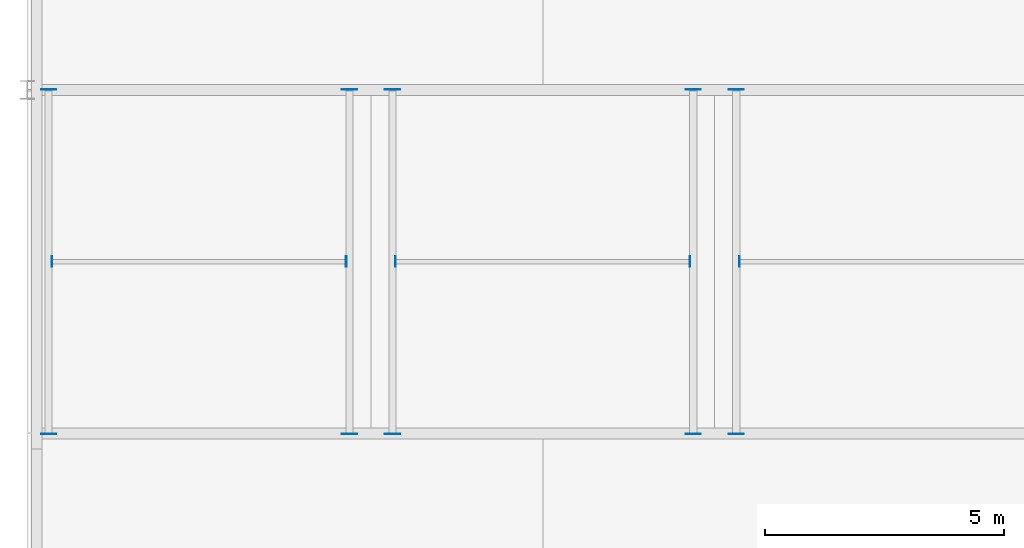
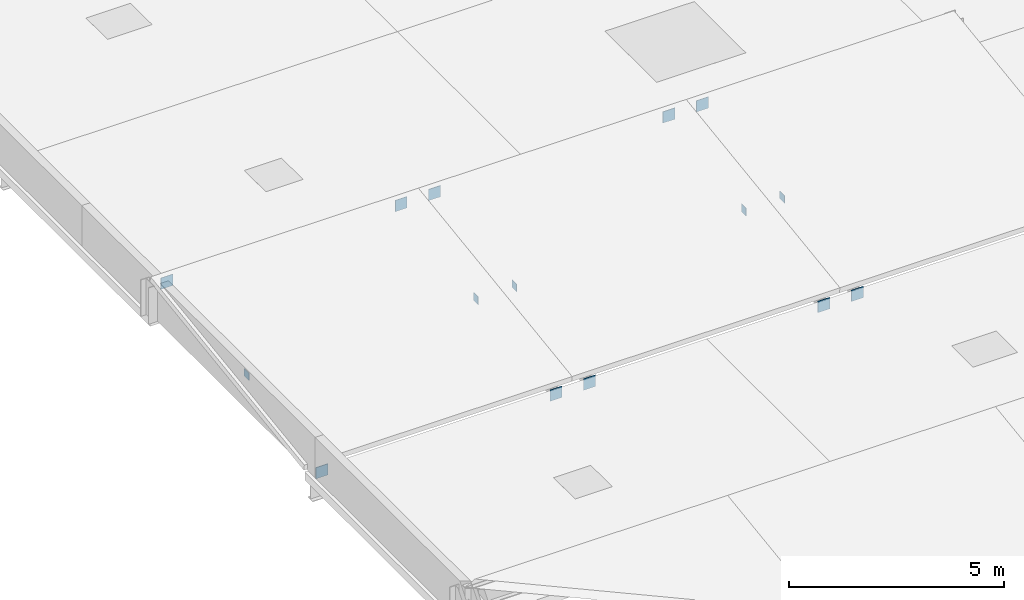
# One storey, part 21 of 32: 15 plates.
"""IFC4 building model written with IfcOpenShell, lengths in metres."""

from ifc_helpers import new_model, si_unit, direction, frame, origin, origin_2d, place, context, subcontext, project, spatial, rectangle, extrude, material, layer, layer_set, type_object, element, save


model = new_model("IFC4")

# Units and contexts
model_context = context("Model", 3, precision=1e-05, world=origin(), true_north=direction((0.0, 1.0)))
body_context = subcontext(model_context, "Body", "Model", "MODEL_VIEW")
ifc_project = project(units=[si_unit("LENGTHUNIT", "METRE"), si_unit("AREAUNIT", "SQUARE_METRE"), si_unit("VOLUMEUNIT", "CUBIC_METRE"), si_unit("PLANEANGLEUNIT", "RADIAN"), si_unit("MASSUNIT", "GRAM", prefix="KILO")], contexts=[model_context])

# Site, building, storey
site_placement = place(None, origin())
site = spatial("IfcSite", under=ifc_project, at=site_placement, CompositionType="ELEMENT")
building_placement = place(site_placement, origin())
building = spatial("IfcBuilding", under=site, at=building_placement, Name="Sardonyx Promenade Sports Hall", CompositionType="ELEMENT")
storey_placement = place(building_placement, frame((0.0, 0.0, 20.39990234375)))
storey = spatial("IfcBuildingStorey", under=building, at=storey_placement, Name="L04", CompositionType="ELEMENT", Elevation=20.39990234375)

# Plates
ifc_material_1 = material(Name="Steel S355JR", Category="steel")
ifc_layer_1 = layer(ifc_material_1, 0.01611328125)
ifc_layer_set_1 = layer_set([ifc_layer_1], Name="Plt_EndCap_EC2")
plate_type_1 = type_object("IfcPlateType", Name="Plt_EndCap_EC2", PredefinedType="USERDEFINED", material=ifc_layer_set_1)
for number, where, z_axis, x_axis, name in (
    (1, (0.449951171875, 50.39208984375, -0.29150390625), (0.0, 0.0, 1.0), (1.0, 0.0, 0.0), "Rafter end-cap plate #5"),
    (2, (0.449951171875, 57.60791015625, 0.72021484375), (0.0, 0.0, 1.0), (1.0, 0.0, 0.0), "Rafter end-cap plate #6"),
    (3, (6.75, 50.39208984375, -0.29150390625), (0.0, 0.0, 1.0), (1.0, 0.0, 0.0), "Rafter end-cap plate #7"),
    (4, (6.75, 57.60791015625, 0.72021484375), (0.0, 0.0, 1.0), (1.0, 0.0, 0.0), "Rafter end-cap plate #8"),
    (5, (7.64990234375, 50.39208984375, -0.29150390625), (0.0, 0.0, 1.0), (1.0, 0.0, 0.0), "Rafter end-cap plate #13"),
    (6, (7.64990234375, 57.60791015625, 0.72021484375), (0.0, 0.0, 1.0), (1.0, 0.0, 0.0), "Rafter end-cap plate #14"),
    (7, (13.949951171875, 50.39208984375, -0.29150390625), (0.0, 0.0, 1.0), (1.0, 0.0, 0.0), "Rafter end-cap plate #15"),
    (8, (13.949951171875, 57.60791015625, 0.72021484375), (0.0, 0.0, 1.0), (1.0, 0.0, 0.0), "Rafter end-cap plate #16"),
    (9, (14.85009765625, 50.39208984375, -0.29150390625), (0.0, 0.0, 1.0), (1.0, 0.0, 0.0), "Rafter end-cap plate #21"),
    (10, (14.85009765625, 57.60791015625, 0.72021484375), (0.0, 0.0, 1.0), (1.0, 0.0, 0.0), "Rafter end-cap plate #22"),
):
    element("IfcPlate", number, at=place(storey_placement, frame(where, z_axis=z_axis, x_axis=x_axis)), inside=storey, type_object=plate_type_1, Name=name, ObjectType="END CAP PLATE", PredefinedType="USERDEFINED", context=body_context, shape_type="SweptSolid", body=[
        extrude(rectangle(XDim=0.320068359375, YDim=0.01611328125, at=origin_2d()), origin(), (0.0, 0.0, 1.0), 0.320068359375),
    ])
ifc_material_2 = material(Name="Steel S355JR", Category="steel")
ifc_layer_2 = layer(ifc_material_2, 0.011962890625)
ifc_layer_set_2 = layer_set([ifc_layer_2], Name="Plt_EndCap_EC3")
plate_type_2 = type_object("IfcPlateType", Name="Plt_EndCap_EC3", PredefinedType="USERDEFINED", material=ifc_layer_set_2)
for number, where, z_axis, x_axis, name in (
    (11, (0.51708984375, 54.0, 0.2958984375), (0.0, 0.0, 1.0), (1.0, 0.0, 0.0), "Purlin end-cap plate #52W"),
    (12, (6.68310546875, 54.0, 0.2958984375), (0.0, 0.0, 1.0), (1.0, 0.0, 0.0), "Purlin end-cap plate #52E"),
    (13, (7.717041015625, 54.0, 0.2958984375), (0.0, 0.0, 1.0), (1.0, 0.0, 0.0), "Purlin end-cap plate #54W"),
    (14, (13.883056640625, 54.0, 0.2958984375), (0.0, 0.0, 1.0), (1.0, 0.0, 0.0), "Purlin end-cap plate #54E"),
    (15, (14.9169921875, 54.0, 0.2958984375), (0.0, 0.0, 1.0), (1.0, 0.0, 0.0), "Purlin end-cap plate #56W"),
):
    element("IfcPlate", number, at=place(storey_placement, frame(where, z_axis=z_axis, x_axis=x_axis)), inside=storey, type_object=plate_type_2, Name=name, ObjectType="END CAP PLATE", PredefinedType="USERDEFINED", context=body_context, shape_type="SweptSolid", body=[
        extrude(rectangle(XDim=0.011962890625, YDim=0.219970703125, at=origin_2d()), origin(), (0.0, 0.0, 1.0), 0.219970703125),
    ])

save(model, "model.ifc")
